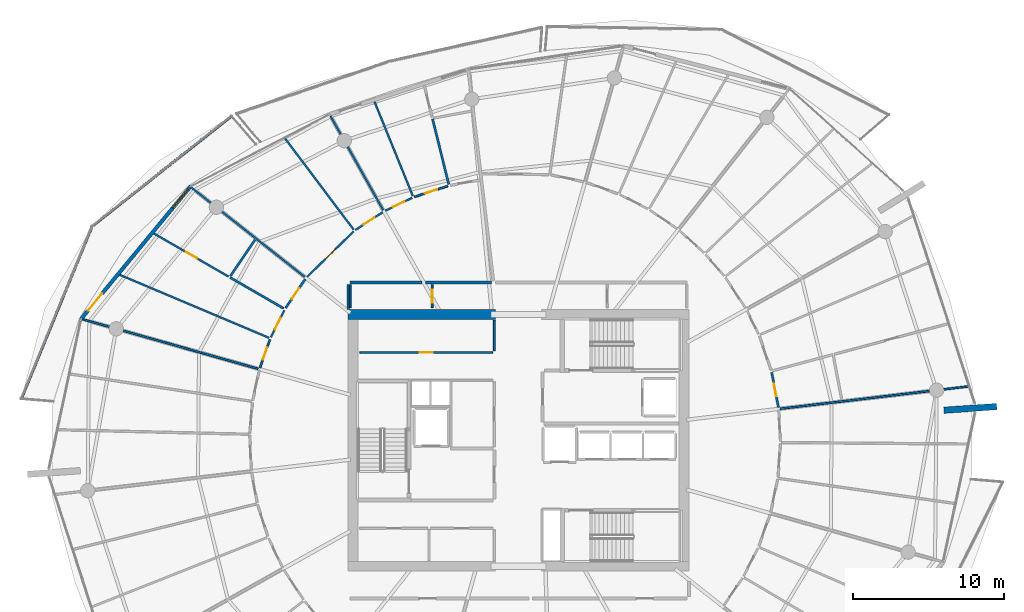
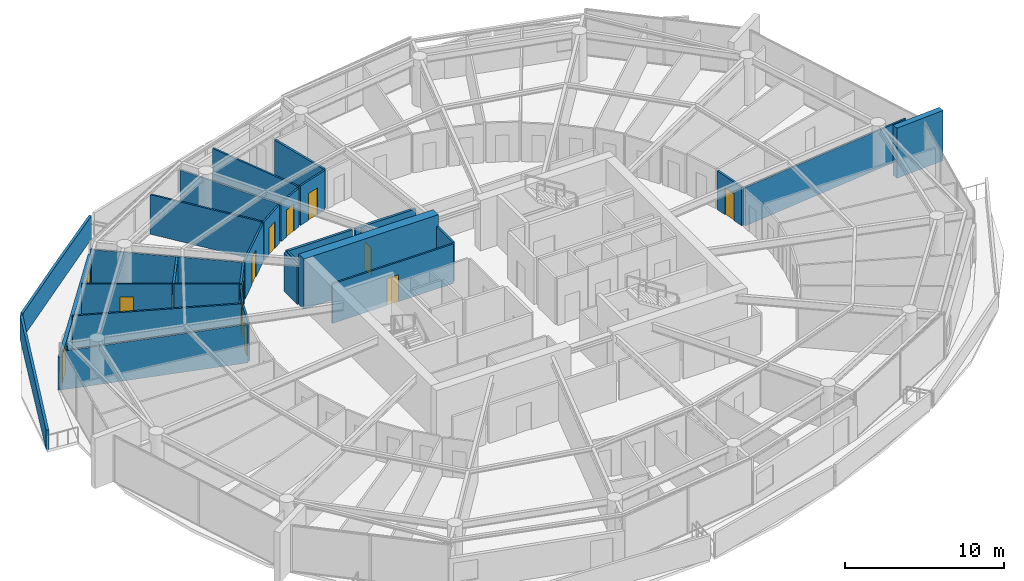
# One storey, part 21 of 30: 31 walls, 12 doors, 1 window, 13 openings.
"""IFC4 building model written with IfcOpenShell, lengths in metres."""

from ifc_helpers import new_model, si_unit, direction, frame, frame_2d, origin, place, context, subcontext, project, spatial, polyline, rectangle, outline, extrude, material, layer, layer_set, type_object, element, fill, save


model = new_model("IFC4")

# Units and contexts
model_context = context("Model", 3, precision=1e-05, world=origin(), true_north=direction((0.0, 1.0)))
body_context = subcontext(model_context, "Body", "Model", "MODEL_VIEW")
ifc_project = project(units=[si_unit("LENGTHUNIT", "METRE"), si_unit("AREAUNIT", "SQUARE_METRE"), si_unit("VOLUMEUNIT", "CUBIC_METRE"), si_unit("PLANEANGLEUNIT", "RADIAN"), si_unit("MASSUNIT", "GRAM", prefix="KILO")], contexts=[model_context])

# Site, building, storey
site_placement = place(None, origin())
site = spatial("IfcSite", under=ifc_project, at=site_placement, CompositionType="ELEMENT")
building_placement = place(site_placement, origin())
building = spatial("IfcBuilding", under=site, at=building_placement, Name="Kazma Halo Residences", CompositionType="ELEMENT")
storey_placement = place(building_placement, frame((0.0, 0.0, 267.5)))
storey = spatial("IfcBuildingStorey", under=building, at=storey_placement, Name="L67", CompositionType="ELEMENT", Elevation=267.5)

# Walls
ifc_material_1 = material(Name="White Concrete C50/60 Balustrade", Category="concrete")
ifc_layer_1 = layer(ifc_material_1, 0.179931640625)
ifc_layer_set_1 = layer_set([ifc_layer_1], Name="White Concrete C50/60 Balustrade")
wall_type_1 = type_object("IfcWallType", Name="WL-BAL-WAVE-180", PredefinedType="PARAPET", material=ifc_layer_set_1)
wall_1_placement = place(storey_placement, frame((29.44287109375, 63.4609375, 0.0), z_axis=(0.0, 0.0, 1.0), x_axis=(-0.784536716277, -0.620082366153, 0.0)))
element("IfcWall", 1, at=wall_1_placement, inside=storey, type_object=wall_type_1, Name="L67 white wave balustrade wall NW.1", PredefinedType="PARAPET", context=body_context, shape_type="SweptSolid", body=[
    extrude(outline(polyline([(0.0, 0.0), (11.65234375, 0.0), (11.652099609375, 1.83203125), (5.826171875, 1.85302734375), (0.0, 1.756103515625), (0.0, 0.0)])), frame((0.0, 0.08984375, 0.0), z_axis=(0.0, -1.0, 0.0), x_axis=(1.0, 0.0, 0.0)), (0.0, 0.0, 1.0), 0.179931640625),
])
wall_2_placement = place(storey_placement, frame((20.16162109375, 56.05029296875, 0.0), z_axis=(0.0, 0.0, 1.0), x_axis=(-0.3796059491, -0.92514827104, 0.0)))
element("IfcWall", 2, at=wall_2_placement, inside=storey, type_object=wall_type_1, Name="L67 white wave balustrade wall NW.2", PredefinedType="PARAPET", context=body_context, shape_type="SweptSolid", body=[
    extrude(outline(polyline([(0.0, 0.0), (12.208740234375, 0.0), (12.20849609375, 1.4970703125), (6.104248046875, 1.696044921875), (0.0, 1.83203125), (0.0, 0.0)])), frame((0.0, 0.08984375, 0.0), z_axis=(0.0, -1.0, 0.0), x_axis=(1.0, 0.0, 0.0)), (0.0, 0.0, 1.0), 0.179931640625),
])
ifc_material_2 = material(Name="Pale Concrete C60/75", Category="concrete")
ifc_layer_2 = layer(ifc_material_2, 0.419921875)
ifc_layer_set_2 = layer_set([ifc_layer_2], Name="Pale Concrete C60/75")
wall_type_2 = type_object("IfcWallType", Name="WL-BLADE-420", PredefinedType="SOLIDWALL", material=ifc_layer_set_2)
wall_3_placement = place(storey_placement, frame((76.5625, 43.997314453125, 0.0), z_axis=(0.0, 0.0, 1.0), x_axis=(0.997563824095, 0.069759707979, 0.0)))
element("IfcWall", 3, at=wall_3_placement, inside=storey, type_object=wall_type_2, Name="L67 pale concrete structural blade fin wall BW-04", PredefinedType="SOLIDWALL", context=body_context, shape_type="SweptSolid", body=[
    extrude(rectangle(XDim=3.499755859375, YDim=0.419921875, at=frame_2d((1.75, 0.0))), origin(), (0.0, 0.0, 1.0), 3.85009765625),
])
ifc_material_3 = material(Name="Concrete C60/75", Category="concrete")
ifc_layer_3 = layer(ifc_material_3, 0.64990234375)
ifc_layer_set_3 = layer_set([ifc_layer_3], Name="Concrete C60/75")
wall_type_3 = type_object("IfcWallType", Name="WL-CORE-650", PredefinedType="SHEAR", material=ifc_layer_set_3)
wall_4_placement = place(storey_placement, frame((37.14990234375, 50.324951171875, 0.0), z_axis=(0.0, 0.0, 1.0), x_axis=(1.0, 0.0, 0.0)))
element("IfcWall", 4, at=wall_4_placement, inside=storey, type_object=wall_type_3, Name="L67 central core shear wall NW", PredefinedType="SHEAR", context=body_context, shape_type="SweptSolid", body=[
    extrude(rectangle(XDim=9.75, YDim=0.64990234375, at=frame_2d((4.875, 0.0))), origin(), (0.0, 0.0, 1.0), 3.85009765625),
])
ifc_material_4 = material(Name="Acoustic Twin-Stud Gypsum")
ifc_layer_4 = layer(ifc_material_4, 0.179931640625)
ifc_layer_set_4 = layer_set([ifc_layer_4], Name="Acoustic Twin-Stud Gypsum")
wall_type_4 = type_object("IfcWallType", Name="WL-DEM-180", PredefinedType="PARTITIONING", material=ifc_layer_set_4)
wall_5_placement = place(storey_placement, frame((46.643310546875, 52.449951171875, 0.0), z_axis=(0.0, 0.0, 1.0), x_axis=(-1.0, 0.0, 0.0)))
element("IfcWall", 5, at=wall_5_placement, inside=storey, type_object=wall_type_4, Name="L67 Apartment 1 inner wall 3", PredefinedType="PARTITIONING", context=body_context, shape_type="SweptSolid", body=[
    extrude(rectangle(XDim=4.375732421875, YDim=0.179931640625, at=frame_2d((2.18798828125, 0.0))), origin(), (0.0, 0.0, 1.0), 2.95703125),
])
wall_6_placement = place(storey_placement, frame((42.027587890625, 52.449951171875, 0.0), z_axis=(0.0, 0.0, 1.0), x_axis=(-1.0, 0.0, 0.0)))
element("IfcWall", 6, at=wall_6_placement, inside=storey, type_object=wall_type_4, Name="L67 Apartment 1 inner wall 4", PredefinedType="PARTITIONING", context=body_context, shape_type="SweptSolid", body=[
    extrude(rectangle(XDim=4.757568359375, YDim=0.179931640625, at=frame_2d((2.37890625, 0.0))), origin(), (0.0, 0.0, 1.0), 2.95703125),
])
wall_7_placement = place(storey_placement, frame((37.14990234375, 52.330078125, 0.0), z_axis=(0.0, 0.0, 1.0), x_axis=(0.0, -1.0, 0.0)))
element("IfcWall", 7, at=wall_7_placement, inside=storey, type_object=wall_type_4, Name="L67 Apartment 1 inner wall 4", PredefinedType="PARTITIONING", context=body_context, shape_type="SweptSolid", body=[
    extrude(rectangle(XDim=1.656494140625, YDim=0.179931640625, at=frame_2d((0.828125, 0.0))), origin(), (0.0, 0.0, 1.0), 2.95703125),
])

# Wall, openings, door, window
ifc_material_5 = material(Name="Insulated Pale-Metal Composite Wall")
ifc_layer_5 = layer(ifc_material_5, 0.239990234375)
ifc_layer_set_5 = layer_set([ifc_layer_5], Name="Insulated Pale-Metal Composite Wall")
wall_type_5 = type_object("IfcWallType", Name="WL-EXT-HOST-240", PredefinedType="SOLIDWALL", material=ifc_layer_set_5)
wall_8_placement = place(storey_placement, frame((26.7421875, 58.822021484375, 0.0), z_axis=(0.0, 0.0, 1.0), x_axis=(-0.636680093065, -0.771128043255, 0.0)))
wall_8 = element("IfcWall", 8, at=wall_8_placement, inside=storey, type_object=wall_type_5, Name="L67 exterior terrace-access wall B06", PredefinedType="SOLIDWALL", context=body_context, shape_type="SweptSolid", body=[
    extrude(rectangle(XDim=11.438232421875, YDim=0.239990234375, at=frame_2d((5.71923828125, 0.0))), origin(), (0.0, 0.0, 1.0), 2.5400390625),
])
opening_1_placement = place(wall_8_placement, frame((9.21826171875, 0.0, 0.0)))
opening_1 = element("IfcOpeningElement", 9, at=opening_1_placement, cuts=wall_8, Name="Opening DTR-1600", PredefinedType="OPENING", context=body_context, shape_type="SweptSolid", body=[
    extrude(rectangle(XDim=1.449951171875, YDim=2.14990234375, at=frame_2d((0.72509765625, 1.074951171875))), frame((0.0, 0.1298828125, 0.0), z_axis=(0.0, -1.0, 0.0), x_axis=(1.0, 0.0, 0.0)), (0.0, 0.0, 1.0), 0.260009765625),
])
opening_2_placement = place(wall_8_placement, frame((0.280029296875, 0.0, 0.64990234375)))
opening_2 = element("IfcOpeningElement", 10, at=opening_2_placement, cuts=wall_8, Name="Opening W-1800", PredefinedType="OPENING", context=body_context, shape_type="SweptSolid", body=[
    extrude(rectangle(XDim=1.60009765625, YDim=1.5, at=frame_2d((0.800048828125, 0.75))), frame((0.0, 0.1298828125, 0.0), z_axis=(0.0, -1.0, 0.0), x_axis=(1.0, 0.0, 0.0)), (0.0, 0.0, 1.0), 0.260009765625),
])
ifc_material_6 = material(Name="Aluminium AW-6063 T6 Double-Glazed Terrace Door", Category="aluminium")
door_type_1 = type_object("IfcDoorType", Name="DR-EXT-TERR-1600", OperationType="NOTDEFINED", PredefinedType="DOOR", material=ifc_material_6)
door_1_placement = place(opening_1_placement, origin())
door_1 = element("IfcDoor", 11, at=door_1_placement, inside=storey, type_object=door_type_1, Name="L67 B06 balcony terrace door", OperationType="DOUBLE_DOOR_SLIDING", OverallHeight=2.14990234375, OverallWidth=1.449951171875, PredefinedType="DOOR", context=body_context, shape_type="SweptSolid", body=[
    extrude(rectangle(XDim=1.449951171875, YDim=2.14990234375, at=frame_2d((0.72509765625, 1.074951171875))), frame((0.0, 0.02490234375, 0.0), z_axis=(0.0, -1.0, 0.0), x_axis=(1.0, 0.0, 0.0)), (0.0, 0.0, 1.0), 0.050048828125),
])
fill(opening_1, door_1)
ifc_material_7 = material(Name="Clear Triple-Silver Low-E Glass in Aluminium AW-6063 T6 Frame", Category="aluminium")
window_type = type_object("IfcWindowType", Name="WIN-RES-1800", PartitioningType="DOUBLE_PANEL_VERTICAL", PredefinedType="WINDOW", material=ifc_material_7)
window_placement = place(opening_2_placement, origin())
window = element("IfcWindow", 12, at=window_placement, inside=storey, type_object=window_type, Name="L67 B06 apartment window", OverallHeight=1.5, OverallWidth=1.60009765625, PartitioningType="SINGLE_PANEL", PredefinedType="WINDOW", context=body_context, shape_type="SweptSolid", body=[
    extrude(rectangle(XDim=1.60009765625, YDim=1.5, at=frame_2d((0.800048828125, 0.75))), frame((0.0, 0.030029296875, 0.0), z_axis=(0.0, -1.0, 0.0), x_axis=(1.0, 0.0, 0.0)), (0.0, 0.0, 1.0), 0.06005859375),
])
fill(opening_2, window)

# Wall
ifc_material_8 = material(Name="Gypsum Plasterboard Partition")
ifc_layer_6 = layer(ifc_material_8, 0.125)
ifc_layer_set_6 = layer_set([ifc_layer_6], Name="Gypsum Plasterboard Partition")
wall_type_6 = type_object("IfcWallType", Name="WL-PART-125", PredefinedType="PARTITIONING", material=ifc_layer_set_6)
wall_9_placement = place(storey_placement, frame((46.820068359375, 47.919921875, 0.0), z_axis=(0.0, 0.0, 1.0), x_axis=(0.0, 1.0, 0.0)))
element("IfcWall", 13, at=wall_9_placement, inside=storey, type_object=wall_type_6, Name="L67 reclaimed north east wall", PredefinedType="PARTITIONING", context=body_context, shape_type="SweptSolid", body=[
    extrude(rectangle(XDim=2.030029296875, YDim=0.125, at=frame_2d((1.01513671875, 0.0))), origin(), (0.0, 0.0, 1.0), 3.030029296875),
])

# Wall, opening, door
wall_10_placement = place(storey_placement, frame((37.919921875, 47.820068359375, 0.0), z_axis=(0.0, 0.0, 1.0), x_axis=(1.0, 0.0, 0.0)))
wall_10 = element("IfcWall", 14, at=wall_10_placement, inside=storey, type_object=wall_type_6, Name="L67 reclaimed north front wall", PredefinedType="PARTITIONING", context=body_context, shape_type="SweptSolid", body=[
    extrude(rectangle(XDim=8.780029296875, YDim=0.125, at=frame_2d((4.39013671875, 0.0))), origin(), (0.0, 0.0, 1.0), 3.030029296875),
])
opening_3_placement = place(wall_10_placement, frame((3.965087890625, 0.0, 0.0)))
opening_3 = element("IfcOpeningElement", 15, at=opening_3_placement, cuts=wall_10, Name="Opening DS-850", PredefinedType="OPENING", context=body_context, shape_type="SweptSolid", body=[
    extrude(rectangle(XDim=0.85009765625, YDim=2.06005859375, at=frame_2d((0.425048828125, 1.030029296875))), frame((0.0, 0.072509765625, 0.0), z_axis=(0.0, -1.0, 0.0), x_axis=(1.0, 0.0, 0.0)), (0.0, 0.0, 1.0), 0.14501953125),
])
ifc_material_9 = material(Name="Painted Steel Access Leaf", Category="steel")
door_type_2 = type_object("IfcDoorType", Name="DR-SVC-850", OperationType="NOTDEFINED", PredefinedType="DOOR", material=ifc_material_9)
door_2_placement = place(opening_3_placement, origin())
door_2 = element("IfcDoor", 16, at=door_2_placement, inside=storey, type_object=door_type_2, Name="L67 reclaimed north service door", OperationType="SINGLE_SWING_RIGHT", OverallHeight=2.06005859375, OverallWidth=0.85009765625, PredefinedType="DOOR", context=body_context, shape_type="SweptSolid", body=[
    extrude(rectangle(XDim=0.85009765625, YDim=2.06005859375, at=frame_2d((0.425048828125, 1.030029296875))), frame((0.0, 0.02490234375, 0.0), z_axis=(0.0, -1.0, 0.0), x_axis=(1.0, 0.0, 0.0)), (0.0, 0.0, 1.0), 0.050048828125),
])
fill(opening_3, door_2)

# Wall
wall_11_placement = place(storey_placement, frame((37.2900390625, 50.77001953125, 0.0), z_axis=(0.0, 0.0, 1.0), x_axis=(0.0, 1.0, 0.0)))
element("IfcWall", 17, at=wall_11_placement, inside=storey, type_object=wall_type_6, Name="L67 west linen end wall", PredefinedType="PARTITIONING", context=body_context, shape_type="SweptSolid", body=[
    extrude(rectangle(XDim=1.5400390625, YDim=0.125, at=frame_2d((0.77001953125, 0.0))), origin(), (0.0, 0.0, 1.0), 3.030029296875),
])

# Wall, opening, door
wall_12_placement = place(storey_placement, frame((42.7099609375, 50.7900390625, 0.0), z_axis=(0.0, 0.0, 1.0), x_axis=(0.0, 1.0, 0.0)))
wall_12 = element("IfcWall", 18, at=wall_12_placement, inside=storey, type_object=wall_type_6, Name="L67 floor linen store door wall", PredefinedType="PARTITIONING", context=body_context, shape_type="SweptSolid", body=[
    extrude(rectangle(XDim=1.52001953125, YDim=0.125, at=frame_2d((0.760009765625, 0.0))), origin(), (0.0, 0.0, 1.0), 2.95703125),
])
opening_4_placement = place(wall_12_placement, frame((0.3349609375, 0.0, 0.0)))
opening_4 = element("IfcOpeningElement", 19, at=opening_4_placement, cuts=wall_12, Name="Opening DS-850", PredefinedType="OPENING", context=body_context, shape_type="SweptSolid", body=[
    extrude(rectangle(XDim=0.85009765625, YDim=2.06005859375, at=frame_2d((0.425048828125, 1.030029296875))), frame((0.0, 0.072509765625, 0.0), z_axis=(0.0, -1.0, 0.0), x_axis=(1.0, 0.0, 0.0)), (0.0, 0.0, 1.0), 0.14501953125),
])
door_3_placement = place(opening_4_placement, origin())
door_3 = element("IfcDoor", 20, at=door_3_placement, inside=storey, type_object=door_type_2, Name="L67 floor linen store door", OperationType="SINGLE_SWING_RIGHT", OverallHeight=2.06005859375, OverallWidth=0.85009765625, PredefinedType="DOOR", context=body_context, shape_type="SweptSolid", body=[
    extrude(rectangle(XDim=0.85009765625, YDim=2.06005859375, at=frame_2d((0.425048828125, 1.030029296875))), frame((0.0, 0.02490234375, 0.0), z_axis=(0.0, -1.0, 0.0), x_axis=(1.0, 0.0, 0.0)), (0.0, 0.0, 1.0), 0.050048828125),
])
fill(opening_4, door_3)

# Wall
wall_13_placement = place(storey_placement, frame((41.42919921875, 58.169921875, 0.0), z_axis=(0.0, 0.0, 1.0), x_axis=(-0.376458801215, 0.926433360252, 0.0)))
element("IfcWall", 21, at=wall_13_placement, inside=storey, type_object=wall_type_6, Name="L67 Apartment 1 suite divider 3", PredefinedType="PARTITIONING", context=body_context, shape_type="SweptSolid", body=[
    extrude(rectangle(XDim=6.728271484375, YDim=0.125, at=frame_2d((3.3642578125, 0.0))), origin(), (0.0, 0.0, 1.0), 3.030029296875),
])

# Wall, opening, door
wall_14_placement = place(storey_placement, frame((43.74169921875, 58.827392578125, 0.0), z_axis=(0.0, 0.0, 1.0), x_axis=(-0.950997650668, -0.309198105466, 0.0)))
wall_14 = element("IfcWall", 22, at=wall_14_placement, inside=storey, type_object=wall_type_6, Name="L67 Apartment 1 Gourmet Kitchen hall wall", PredefinedType="PARTITIONING", context=body_context, shape_type="SweptSolid", body=[
    extrude(rectangle(XDim=2.31591796875, YDim=0.125, at=frame_2d((1.157958984375, 0.0))), origin(), (0.0, 0.0, 1.0), 3.030029296875),
])
opening_5_placement = place(wall_14_placement, frame((0.73291015625, 0.0, 0.0)))
opening_5 = element("IfcOpeningElement", 23, at=opening_5_placement, cuts=wall_14, Name="Opening DB-900", PredefinedType="OPENING", context=body_context, shape_type="SweptSolid", body=[
    extrude(rectangle(XDim=0.85009765625, YDim=2.06005859375, at=frame_2d((0.425048828125, 1.030029296875))), frame((0.0, 0.072509765625, 0.0), z_axis=(0.0, -1.0, 0.0), x_axis=(1.0, 0.0, 0.0)), (0.0, 0.0, 1.0), 0.14501953125),
])
ifc_material_10 = material(Name="Moisture-Sealed Timber Leaf", Category="wood")
door_type_3 = type_object("IfcDoorType", Name="DR-BTH-900", OperationType="NOTDEFINED", PredefinedType="DOOR", material=ifc_material_10)
door_4_placement = place(opening_5_placement, origin())
door_4 = element("IfcDoor", 24, at=door_4_placement, inside=storey, type_object=door_type_3, Name="L67 Apartment 1 Gourmet Kitchen door", OperationType="SINGLE_SWING_LEFT", OverallHeight=2.06005859375, OverallWidth=0.85009765625, PredefinedType="DOOR", context=body_context, shape_type="SweptSolid", body=[
    extrude(rectangle(XDim=0.85009765625, YDim=2.06005859375, at=frame_2d((0.425048828125, 1.030029296875))), frame((0.0, 0.02490234375, 0.0), z_axis=(0.0, -1.0, 0.0), x_axis=(1.0, 0.0, 0.0)), (0.0, 0.0, 1.0), 0.050048828125),
])
fill(opening_5, door_4)

wall_15_placement = place(storey_placement, frame((41.39111328125, 58.052001953125, 0.0), z_axis=(0.0, 0.0, 1.0), x_axis=(-0.901197816095, -0.433408002079, 0.0)))
wall_15 = element("IfcWall", 25, at=wall_15_placement, inside=storey, type_object=wall_type_6, Name="L67 Apartment 1 Primary Bedroom hall wall", PredefinedType="PARTITIONING", context=body_context, shape_type="SweptSolid", body=[
    extrude(rectangle(XDim=1.981201171875, YDim=0.125, at=frame_2d((0.99072265625, 0.0))), origin(), (0.0, 0.0, 1.0), 2.95703125),
])
opening_6_placement = place(wall_15_placement, frame((0.5654296875, 0.0, 0.0)))
opening_6 = element("IfcOpeningElement", 26, at=opening_6_placement, cuts=wall_15, Name="Opening DB-900", PredefinedType="OPENING", context=body_context, shape_type="SweptSolid", body=[
    extrude(rectangle(XDim=0.85009765625, YDim=2.06005859375, at=frame_2d((0.425048828125, 1.030029296875))), frame((0.0, 0.072509765625, 0.0), z_axis=(0.0, -1.0, 0.0), x_axis=(1.0, 0.0, 0.0)), (0.0, 0.0, 1.0), 0.14501953125),
])
door_5_placement = place(opening_6_placement, origin())
door_5 = element("IfcDoor", 27, at=door_5_placement, inside=storey, type_object=door_type_3, Name="L67 Apartment 1 Primary Bedroom door", OperationType="SINGLE_SWING_RIGHT", OverallHeight=2.06005859375, OverallWidth=0.85009765625, PredefinedType="DOOR", context=body_context, shape_type="SweptSolid", body=[
    extrude(rectangle(XDim=0.85009765625, YDim=2.06005859375, at=frame_2d((0.425048828125, 1.030029296875))), frame((0.0, 0.02490234375, 0.0), z_axis=(0.0, -1.0, 0.0), x_axis=(1.0, 0.0, 0.0)), (0.0, 0.0, 1.0), 0.050048828125),
])
fill(opening_6, door_5)

# Walls
wall_16_placement = place(storey_placement, frame((39.466796875, 57.2373046875, 0.0), z_axis=(0.0, 0.0, 1.0), x_axis=(-0.488642985948, 0.872483829239, 0.0)))
element("IfcWall", 28, at=wall_16_placement, inside=storey, type_object=wall_type_6, Name="L67 Apartment 1 radial partition 4", PredefinedType="PARTITIONING", context=body_context, shape_type="SweptSolid", body=[
    extrude(rectangle(XDim=7.130615234375, YDim=0.125, at=frame_2d((3.5654296875, 0.0))), origin(), (0.0, 0.0, 1.0), 2.95703125),
])
wall_17_placement = place(storey_placement, frame((37.50927734375, 55.949462890625, 0.0), z_axis=(0.0, 0.0, 1.0), x_axis=(-0.60104674722, 0.799213868534, 0.0)))
element("IfcWall", 29, at=wall_17_placement, inside=storey, type_object=wall_type_6, Name="L67 Apartment 1 mid-bay wall 4", PredefinedType="PARTITIONING", context=body_context, shape_type="SweptSolid", body=[
    extrude(rectangle(XDim=7.57177734375, YDim=0.125, at=frame_2d((3.785888671875, 0.0))), origin(), (0.0, 0.0, 1.0), 3.030029296875),
])

# Wall, opening, door
wall_18_placement = place(storey_placement, frame((39.431884765625, 57.095458984375, 0.0), z_axis=(0.0, 0.0, 1.0), x_axis=(-0.837734795217, -0.546077295703, 0.0)))
wall_18 = element("IfcWall", 30, at=wall_18_placement, inside=storey, type_object=wall_type_6, Name="L67 Apartment 1 Primary Bedroom hall wall", PredefinedType="PARTITIONING", context=body_context, shape_type="SweptSolid", body=[
    extrude(rectangle(XDim=2.150390625, YDim=0.125, at=frame_2d((1.0751953125, 0.0))), origin(), (0.0, 0.0, 1.0), 2.95703125),
])
opening_7_placement = place(wall_18_placement, frame((0.650146484375, 0.0, 0.0)))
opening_7 = element("IfcOpeningElement", 31, at=opening_7_placement, cuts=wall_18, Name="Opening DB-900", PredefinedType="OPENING", context=body_context, shape_type="SweptSolid", body=[
    extrude(rectangle(XDim=0.85009765625, YDim=2.06005859375, at=frame_2d((0.425048828125, 1.030029296875))), frame((0.0, 0.072509765625, 0.0), z_axis=(0.0, -1.0, 0.0), x_axis=(1.0, 0.0, 0.0)), (0.0, 0.0, 1.0), 0.14501953125),
])
door_6_placement = place(opening_7_placement, origin())
door_6 = element("IfcDoor", 32, at=door_6_placement, inside=storey, type_object=door_type_3, Name="L67 Apartment 1 Primary Bedroom door", OperationType="SINGLE_SWING_RIGHT", OverallHeight=2.06005859375, OverallWidth=0.85009765625, PredefinedType="DOOR", context=body_context, shape_type="SweptSolid", body=[
    extrude(rectangle(XDim=0.85009765625, YDim=2.06005859375, at=frame_2d((0.425048828125, 1.030029296875))), frame((0.0, 0.02490234375, 0.0), z_axis=(0.0, -1.0, 0.0), x_axis=(1.0, 0.0, 0.0)), (0.0, 0.0, 1.0), 0.050048828125),
])
fill(opening_7, door_6)

wall_19_placement = place(storey_placement, frame((37.506103515625, 55.821533203125, 0.0), z_axis=(0.0, 0.0, 1.0), x_axis=(-0.715105814901, -0.699016218334, 0.0)))
wall_19 = element("IfcWall", 33, at=wall_19_placement, inside=storey, type_object=wall_type_6, Name="L67 Apartment 1 Secondary Master Bedroom hall wall", PredefinedType="PARTITIONING", context=body_context, shape_type="SweptSolid", body=[
    extrude(rectangle(XDim=4.294189453125, YDim=0.125, at=frame_2d((2.14697265625, 0.0))), origin(), (0.0, 0.0, 1.0), 2.95703125),
])
opening_8_placement = place(wall_19_placement, frame((1.697265625, 0.0, 0.0)))
opening_8 = element("IfcOpeningElement", 34, at=opening_8_placement, cuts=wall_19, Name="Opening DI-950", PredefinedType="OPENING", context=body_context, shape_type="SweptSolid", body=[
    extrude(rectangle(XDim=0.89990234375, YDim=2.080078125, at=frame_2d((0.449951171875, 1.0400390625))), frame((0.0, 0.072509765625, 0.0), z_axis=(0.0, -1.0, 0.0), x_axis=(1.0, 0.0, 0.0)), (0.0, 0.0, 1.0), 0.14501953125),
])
ifc_material_11 = material(Name="Timber Veneer Flush Leaf", Category="wood")
door_type_4 = type_object("IfcDoorType", Name="DR-INT-950", OperationType="NOTDEFINED", PredefinedType="DOOR", material=ifc_material_11)
door_7_placement = place(opening_8_placement, origin())
door_7 = element("IfcDoor", 35, at=door_7_placement, inside=storey, type_object=door_type_4, Name="L67 Apartment 1 Secondary Master Bedroom door", OperationType="SINGLE_SWING_LEFT", OverallHeight=2.080078125, OverallWidth=0.89990234375, PredefinedType="DOOR", context=body_context, shape_type="SweptSolid", body=[
    extrude(rectangle(XDim=0.89990234375, YDim=2.080078125, at=frame_2d((0.449951171875, 1.0400390625))), frame((0.0, 0.02490234375, 0.0), z_axis=(0.0, -1.0, 0.0), x_axis=(1.0, 0.0, 0.0)), (0.0, 0.0, 1.0), 0.050048828125),
])
fill(opening_8, door_7)

# Wall
wall_20_placement = place(storey_placement, frame((34.285400390625, 52.811767578125, 0.0), z_axis=(0.0, 0.0, 1.0), x_axis=(-0.785324921183, 0.619083813526, 0.0)))
element("IfcWall", 36, at=wall_20_placement, inside=storey, type_object=wall_type_6, Name="L67 Apartment 1 radial partition 5", PredefinedType="PARTITIONING", context=body_context, shape_type="SweptSolid", body=[
    extrude(rectangle(XDim=9.620849609375, YDim=0.125, at=frame_2d((4.810546875, 0.0))), origin(), (0.0, 0.0, 1.0), 2.95703125),
])

# Wall, opening, door
wall_21_placement = place(storey_placement, frame((29.232666015625, 52.841796875, 0.0), z_axis=(0.0, 0.0, 1.0), x_axis=(-0.865885749935, 0.500241809588, 0.0)))
wall_21 = element("IfcWall", 37, at=wall_21_placement, inside=storey, type_object=wall_type_6, Name="L67 Apartment 1 West Walk-In Wardrobe partition wall", PredefinedType="PARTITIONING", context=body_context, shape_type="SweptSolid", body=[
    extrude(rectangle(XDim=5.682861328125, YDim=0.125, at=frame_2d((2.84130859375, 0.0))), origin(), (0.0, 0.0, 1.0), 3.030029296875),
])
opening_9_placement = place(wall_21_placement, frame((2.41650390625, 0.0, 0.0)))
opening_9 = element("IfcOpeningElement", 38, at=opening_9_placement, cuts=wall_21, Name="Opening DB-900", PredefinedType="OPENING", context=body_context, shape_type="SweptSolid", body=[
    extrude(rectangle(XDim=0.85009765625, YDim=2.06005859375, at=frame_2d((0.425048828125, 1.030029296875))), frame((0.0, 0.072509765625, 0.0), z_axis=(0.0, -1.0, 0.0), x_axis=(1.0, 0.0, 0.0)), (0.0, 0.0, 1.0), 0.14501953125),
])
door_8_placement = place(opening_9_placement, origin())
door_8 = element("IfcDoor", 39, at=door_8_placement, inside=storey, type_object=door_type_3, Name="L67 Apartment 1 West Walk-In Wardrobe door", OperationType="SINGLE_SWING_RIGHT", OverallHeight=2.06005859375, OverallWidth=0.85009765625, PredefinedType="DOOR", context=body_context, shape_type="SweptSolid", body=[
    extrude(rectangle(XDim=0.85009765625, YDim=2.06005859375, at=frame_2d((0.425048828125, 1.030029296875))), frame((0.0, 0.02490234375, 0.0), z_axis=(0.0, -1.0, 0.0), x_axis=(1.0, 0.0, 0.0)), (0.0, 0.0, 1.0), 0.050048828125),
])
fill(opening_9, door_8)

# Wall
wall_22_placement = place(storey_placement, frame((31.919677734375, 48.786865234375, 0.0), z_axis=(0.0, 0.0, 1.0), x_axis=(-0.92130726737, 0.388835336731, 0.0)))
element("IfcWall", 40, at=wall_22_placement, inside=storey, type_object=wall_type_6, Name="L67 Apartment 1 suite divider 5", PredefinedType="PARTITIONING", context=body_context, shape_type="SweptSolid", body=[
    extrude(rectangle(XDim=10.711669921875, YDim=0.125, at=frame_2d((5.35595703125, 0.0))), origin(), (0.0, 0.0, 1.0), 3.030029296875),
])

# Wall, opening, door
wall_23_placement = place(storey_placement, frame((32.924560546875, 50.605224609375, 0.0), z_axis=(0.0, 0.0, 1.0), x_axis=(-0.445446150764, -0.895308732656, 0.0)))
wall_23 = element("IfcWall", 41, at=wall_23_placement, inside=storey, type_object=wall_type_6, Name="L67 Apartment 1 North Private Study hall wall", PredefinedType="PARTITIONING", context=body_context, shape_type="SweptSolid", body=[
    extrude(rectangle(XDim=1.989990234375, YDim=0.125, at=frame_2d((0.9951171875, 0.0))), origin(), (0.0, 0.0, 1.0), 3.030029296875),
])
opening_10_placement = place(wall_23_placement, frame((0.570068359375, 0.0, 0.0)))
opening_10 = element("IfcOpeningElement", 42, at=opening_10_placement, cuts=wall_23, Name="Opening DB-900", PredefinedType="OPENING", context=body_context, shape_type="SweptSolid", body=[
    extrude(rectangle(XDim=0.85009765625, YDim=2.06005859375, at=frame_2d((0.425048828125, 1.030029296875))), frame((0.0, 0.072509765625, 0.0), z_axis=(0.0, -1.0, 0.0), x_axis=(1.0, 0.0, 0.0)), (0.0, 0.0, 1.0), 0.14501953125),
])
door_9_placement = place(opening_10_placement, origin())
door_9 = element("IfcDoor", 43, at=door_9_placement, inside=storey, type_object=door_type_3, Name="L67 Apartment 1 North Private Study door", OperationType="SINGLE_SWING_LEFT", OverallHeight=2.06005859375, OverallWidth=0.85009765625, PredefinedType="DOOR", context=body_context, shape_type="SweptSolid", body=[
    extrude(rectangle(XDim=0.85009765625, YDim=2.06005859375, at=frame_2d((0.425048828125, 1.030029296875))), frame((0.0, 0.02490234375, 0.0), z_axis=(0.0, -1.0, 0.0), x_axis=(1.0, 0.0, 0.0)), (0.0, 0.0, 1.0), 0.050048828125),
])
fill(opening_10, door_9)

wall_24_placement = place(storey_placement, frame((31.97607421875, 48.676513671875, 0.0), z_axis=(0.0, 0.0, 1.0), x_axis=(-0.330762244327, -0.943714118644, 0.0)))
wall_24 = element("IfcWall", 44, at=wall_24_placement, inside=storey, type_object=wall_type_6, Name="L67 Apartment 1 South Master Bedroom hall wall", PredefinedType="PARTITIONING", context=body_context, shape_type="SweptSolid", body=[
    extrude(rectangle(XDim=1.98046875, YDim=0.125, at=frame_2d((0.990234375, 0.0))), origin(), (0.0, 0.0, 1.0), 2.95703125),
])
opening_11_placement = place(wall_24_placement, frame((0.565185546875, 0.0, 0.0)))
opening_11 = element("IfcOpeningElement", 45, at=opening_11_placement, cuts=wall_24, Name="Opening DB-900", PredefinedType="OPENING", context=body_context, shape_type="SweptSolid", body=[
    extrude(rectangle(XDim=0.85009765625, YDim=2.06005859375, at=frame_2d((0.425048828125, 1.030029296875))), frame((0.0, 0.072509765625, 0.0), z_axis=(0.0, -1.0, 0.0), x_axis=(1.0, 0.0, 0.0)), (0.0, 0.0, 1.0), 0.14501953125),
])
door_10_placement = place(opening_11_placement, origin())
door_10 = element("IfcDoor", 46, at=door_10_placement, inside=storey, type_object=door_type_3, Name="L67 Apartment 1 South Master Bedroom door", OperationType="SINGLE_SWING_RIGHT", OverallHeight=2.06005859375, OverallWidth=0.85009765625, PredefinedType="DOOR", context=body_context, shape_type="SweptSolid", body=[
    extrude(rectangle(XDim=0.85009765625, YDim=2.06005859375, at=frame_2d((0.425048828125, 1.030029296875))), frame((0.0, 0.02490234375, 0.0), z_axis=(0.0, -1.0, 0.0), x_axis=(1.0, 0.0, 0.0)), (0.0, 0.0, 1.0), 0.050048828125),
])
fill(opening_11, door_10)

# Walls
wall_25_placement = place(storey_placement, frame((31.191650390625, 46.740478515625, 0.0), z_axis=(0.0, 0.0, 1.0), x_axis=(-0.962454841417, 0.271441850554, 0.0)))
element("IfcWall", 47, at=wall_25_placement, inside=storey, type_object=wall_type_6, Name="L67 Apartment 1 radial partition 6", PredefinedType="PARTITIONING", context=body_context, shape_type="SweptSolid", body=[
    extrude(rectangle(XDim=12.031494140625, YDim=0.125, at=frame_2d((6.015625, 0.0))), origin(), (0.0, 0.0, 1.0), 2.95703125),
])
wall_26_placement = place(storey_placement, frame((65.733154296875, 44.098876953125, 0.0), z_axis=(0.0, 0.0, 1.0), x_axis=(0.99306831242, 0.117538618625, 0.0)))
element("IfcWall", 48, at=wall_26_placement, inside=storey, type_object=wall_type_6, Name="L67 Apartment 2 radial partition 15", PredefinedType="PARTITIONING", context=body_context, shape_type="SweptSolid", body=[
    extrude(rectangle(XDim=12.57275390625, YDim=0.125, at=frame_2d((6.286376953125, 0.0))), origin(), (0.0, 0.0, 1.0), 2.95703125),
])
ifc_material_12 = material(Name="Moisture-Resistant Gypsum")
ifc_layer_7 = layer(ifc_material_12, 0.14990234375)
ifc_layer_set_7 = layer_set([ifc_layer_7], Name="Moisture-Resistant Gypsum")
wall_type_7 = type_object("IfcWallType", Name="WL-WET-150", PredefinedType="PARTITIONING", material=ifc_layer_set_7)
wall_27_placement = place(storey_placement, frame((43.8056640625, 58.942626953125, 0.0), z_axis=(0.0, 0.0, 1.0), x_axis=(-0.240319531841, 0.970693835674, 0.0)))
element("IfcWall", 49, at=wall_27_placement, inside=storey, type_object=wall_type_7, Name="L67 Apartment 1 Guest Bathroom side wall", PredefinedType="PARTITIONING", context=body_context, shape_type="SweptSolid", body=[
    extrude(rectangle(XDim=4.459716796875, YDim=0.14990234375, at=frame_2d((2.22998046875, 0.0))), origin(), (0.0, 0.0, 1.0), 3.030029296875),
])

# Wall, opening, door
wall_28_placement = place(storey_placement, frame((34.3076171875, 52.6669921875, 0.0), z_axis=(0.0, 0.0, 1.0), x_axis=(-0.561141072409, -0.827720180288, 0.0)))
wall_28 = element("IfcWall", 50, at=wall_28_placement, inside=storey, type_object=wall_type_7, Name="L67 Apartment 1 East En-Suite Bathroom hall wall", PredefinedType="PARTITIONING", context=body_context, shape_type="SweptSolid", body=[
    extrude(rectangle(XDim=2.30322265625, YDim=0.14990234375, at=frame_2d((1.151611328125, 0.0))), origin(), (0.0, 0.0, 1.0), 2.95703125),
])
opening_12_placement = place(wall_28_placement, frame((0.726806640625, 0.0, 0.0)))
opening_12 = element("IfcOpeningElement", 51, at=opening_12_placement, cuts=wall_28, Name="Opening DB-900", PredefinedType="OPENING", context=body_context, shape_type="SweptSolid", body=[
    extrude(rectangle(XDim=0.85009765625, YDim=2.06005859375, at=frame_2d((0.425048828125, 1.030029296875))), frame((0.0, 0.0849609375, 0.0), z_axis=(0.0, -1.0, 0.0), x_axis=(1.0, 0.0, 0.0)), (0.0, 0.0, 1.0), 0.169921875),
])
door_11_placement = place(opening_12_placement, origin())
door_11 = element("IfcDoor", 52, at=door_11_placement, inside=storey, type_object=door_type_3, Name="L67 Apartment 1 East En-Suite Bathroom door", OperationType="SINGLE_SWING_LEFT", OverallHeight=2.06005859375, OverallWidth=0.85009765625, PredefinedType="DOOR", context=body_context, shape_type="SweptSolid", body=[
    extrude(rectangle(XDim=0.85009765625, YDim=2.06005859375, at=frame_2d((0.425048828125, 1.030029296875))), frame((0.0, 0.02490234375, 0.0), z_axis=(0.0, -1.0, 0.0), x_axis=(1.0, 0.0, 0.0)), (0.0, 0.0, 1.0), 0.050048828125),
])
fill(opening_12, door_11)

# Walls
wall_29_placement = place(storey_placement, frame((30.99365234375, 55.27978515625, 0.0), z_axis=(0.0, 0.0, 1.0), x_axis=(-0.561093021969, -0.827752753361, 0.0)))
element("IfcWall", 53, at=wall_29_placement, inside=storey, type_object=wall_type_7, Name="L67 Apartment 1 East En-Suite Bathroom back wall", PredefinedType="PARTITIONING", context=body_context, shape_type="SweptSolid", body=[
    extrude(rectangle(XDim=2.90966796875, YDim=0.14990234375, at=frame_2d((1.454833984375, 0.0))), origin(), (0.0, 0.0, 1.0), 2.95703125),
])
wall_30_placement = place(storey_placement, frame((32.88671875, 50.73095703125, 0.0), z_axis=(0.0, 0.0, 1.0), x_axis=(-0.865897249189, 0.500221904605, 0.0)))
element("IfcWall", 54, at=wall_30_placement, inside=storey, type_object=wall_type_7, Name="L67 Apartment 1 East En-Suite Bathroom side wall", PredefinedType="PARTITIONING", context=body_context, shape_type="SweptSolid", body=[
    extrude(rectangle(XDim=4.090087890625, YDim=0.14990234375, at=frame_2d((2.044921875, 0.0))), origin(), (0.0, 0.0, 1.0), 3.030029296875),
])

# Wall, opening, door
wall_31_placement = place(storey_placement, frame((65.614990234375, 44.185302734375, 0.0), z_axis=(0.0, 0.0, 1.0), x_axis=(-0.188490536313, 0.982075006158, 0.0)))
wall_31 = element("IfcWall", 55, at=wall_31_placement, inside=storey, type_object=wall_type_7, Name="L67 Apartment 2 Sky En-Suite Bathroom hall wall", PredefinedType="PARTITIONING", context=body_context, shape_type="SweptSolid", body=[
    extrude(rectangle(XDim=2.35986328125, YDim=0.14990234375, at=frame_2d((1.179931640625, 0.0))), origin(), (0.0, 0.0, 1.0), 2.95703125),
])
opening_13_placement = place(wall_31_placement, frame((0.7548828125, 0.0, 0.0)))
opening_13 = element("IfcOpeningElement", 56, at=opening_13_placement, cuts=wall_31, Name="Opening DB-900", PredefinedType="OPENING", context=body_context, shape_type="SweptSolid", body=[
    extrude(rectangle(XDim=0.85009765625, YDim=2.06005859375, at=frame_2d((0.425048828125, 1.030029296875))), frame((0.0, 0.0849609375, 0.0), z_axis=(0.0, -1.0, 0.0), x_axis=(1.0, 0.0, 0.0)), (0.0, 0.0, 1.0), 0.169921875),
])
door_12_placement = place(opening_13_placement, origin())
door_12 = element("IfcDoor", 57, at=door_12_placement, inside=storey, type_object=door_type_3, Name="L67 Apartment 2 Sky En-Suite Bathroom door", OperationType="SINGLE_SWING_LEFT", OverallHeight=2.06005859375, OverallWidth=0.85009765625, PredefinedType="DOOR", context=body_context, shape_type="SweptSolid", body=[
    extrude(rectangle(XDim=0.85009765625, YDim=2.06005859375, at=frame_2d((0.425048828125, 1.030029296875))), frame((0.0, 0.02490234375, 0.0), z_axis=(0.0, -1.0, 0.0), x_axis=(1.0, 0.0, 0.0)), (0.0, 0.0, 1.0), 0.050048828125),
])
fill(opening_13, door_12)

save(model, "model.ifc")
